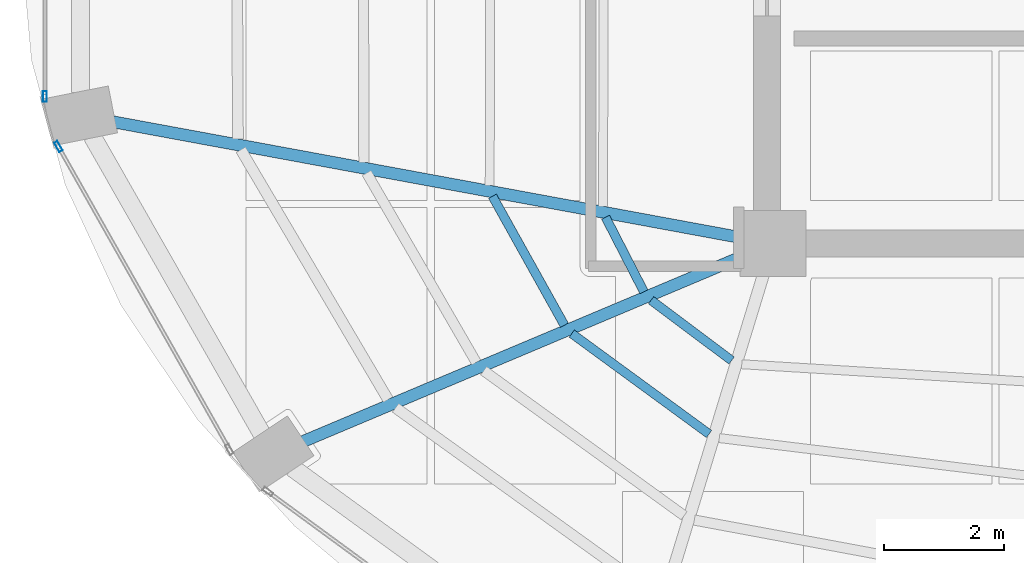
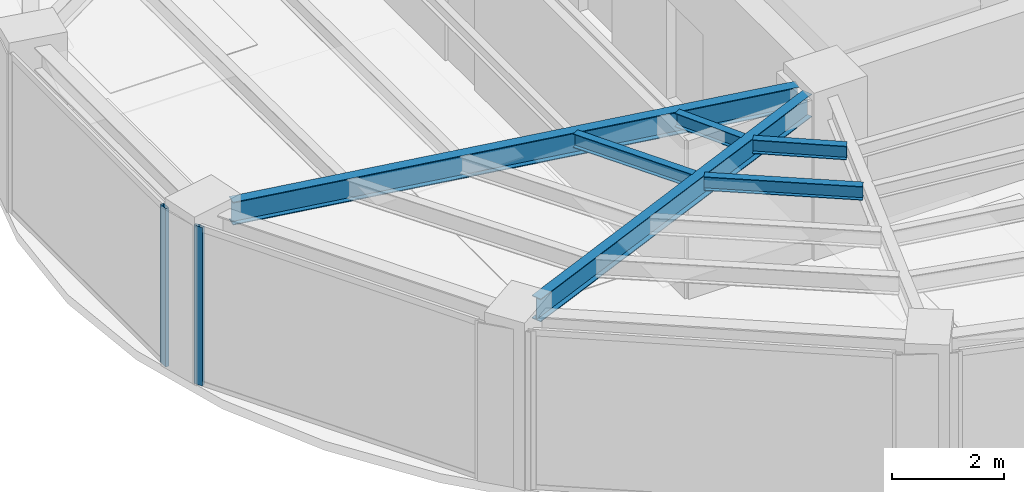
# One storey, part 4 of 22: 6 beams, 2 members, 2 elements without a shape of their own.
"""IFC4 building model written with IfcOpenShell, lengths in metres."""

from ifc_helpers import new_model, si_unit, direction, frame, origin, origin_2d, place, context, subcontext, project, spatial, hollow_rectangle, i_section, extrude, material, layer, layer_set, material_profile, profile_set, type_object, element, aggregate, save


model = new_model("IFC4")

# Units and contexts
model_context = context("Model", 3, precision=1e-05, world=origin(), true_north=direction((0.0, 1.0)))
body_context = subcontext(model_context, "Body", "Model", "MODEL_VIEW")
ifc_project = project(units=[si_unit("LENGTHUNIT", "METRE"), si_unit("AREAUNIT", "SQUARE_METRE"), si_unit("VOLUMEUNIT", "CUBIC_METRE"), si_unit("PLANEANGLEUNIT", "RADIAN"), si_unit("MASSUNIT", "GRAM", prefix="KILO")], contexts=[model_context])

# Site, building, storey
site_placement = place(None, origin())
site = spatial("IfcSite", under=ifc_project, at=site_placement, CompositionType="ELEMENT")
building_placement = place(site_placement, origin())
building = spatial("IfcBuilding", under=site, at=building_placement, Name="Lazwardi Medical Tower", CompositionType="ELEMENT")
storey_placement = place(building_placement, frame((0.0, 0.0, 251.3759765625)))
storey = spatial("IfcBuildingStorey", under=building, at=storey_placement, Name="L65", CompositionType="ELEMENT", Elevation=251.3759765625)

# Beams
ifc_material_1 = material(Name="Steel S355", Category="steel")
ifc_material_profile_1 = material_profile(ifc_material_1, i_section(OverallWidth=0.199951171875, OverallDepth=0.5, WebThickness=0.01025390625, FlangeThickness=0.01611328125, at=origin_2d()), Name="IPE 500")
ifc_profile_set_1 = profile_set([ifc_material_profile_1], Name="Steel S355")
beam_type_1 = type_object("IfcBeamType", Name="BM-RG-W3", PredefinedType="BEAM", material=ifc_profile_set_1)
beam_1_placement = place(storey_placement, frame((15.341064453125, 22.43994140625, 3.197998046875), z_axis=(0.983409341459, -0.181400295288, 0.0), x_axis=(0.181400295288, 0.983409341459, 0.0)))
element("IfcBeam", 1, at=beam_1_placement, inside=storey, type_object=beam_type_1, Name="Radial girder RG-04 R13 L65", PredefinedType="BEAM", context=body_context, shape_type="SweptSolid", body=[
    extrude(i_section(OverallWidth=0.199951171875, OverallDepth=0.5, WebThickness=0.01025390625, FlangeThickness=0.01611328125, at=origin_2d()), origin(), (0.0, 0.0, 1.0), 10.71044921875),
])
beam_2_placement = place(storey_placement, frame((18.533203125, 17.085205078125, 3.197998046875), z_axis=(0.921526791352, 0.388314785735, 0.0), x_axis=(-0.388314785735, 0.921526791352, 0.0)))
element("IfcBeam", 2, at=beam_2_placement, inside=storey, type_object=beam_type_1, Name="Radial girder RG-04 R14 L65", PredefinedType="BEAM", context=body_context, shape_type="SweptSolid", body=[
    extrude(i_section(OverallWidth=0.199951171875, OverallDepth=0.5, WebThickness=0.01025390625, FlangeThickness=0.01611328125, at=origin_2d()), origin(), (0.0, 0.0, 1.0), 8.001708984375),
])
ifc_material_profile_2 = material_profile(ifc_material_1, i_section(OverallWidth=0.14990234375, OverallDepth=0.300048828125, WebThickness=0.007080078125, FlangeThickness=0.0107421875, at=origin_2d()), Name="IPE 300")
ifc_profile_set_2 = profile_set([ifc_material_profile_2], Name="Steel S355")
beam_type_2 = type_object("IfcBeamType", Name="BM-SJ-03", PredefinedType="JOIST", material=ifc_profile_set_2)
beam_3_placement = place(storey_placement, frame((21.70703125, 21.19140625, 3.298095703125), z_axis=(0.487092942089, -0.873350139272, 0.0), x_axis=(0.873350139272, 0.487092942089, 0.0)))
element("IfcBeam", 3, at=beam_3_placement, inside=storey, type_object=beam_type_2, Name="Secondary joist SJ-03 R3 B13 L65", PredefinedType="JOIST", context=body_context, shape_type="SweptSolid", body=[
    extrude(i_section(OverallWidth=0.14990234375, OverallDepth=0.300048828125, WebThickness=0.007080078125, FlangeThickness=0.0107421875, at=origin_2d()), origin(), (0.0, 0.0, 1.0), 2.471923828125),
])
beam_4_placement = place(storey_placement, frame((23.0341796875, 18.893310546875, 3.298095703125), z_axis=(0.80703431267, -0.59050454543, 0.0), x_axis=(0.59050454543, 0.80703431267, 0.0)))
element("IfcBeam", 4, at=beam_4_placement, inside=storey, type_object=beam_type_2, Name="Secondary joist SJ-03 R3 B14 L65", PredefinedType="JOIST", context=body_context, shape_type="SweptSolid", body=[
    extrude(i_section(OverallWidth=0.14990234375, OverallDepth=0.300048828125, WebThickness=0.007080078125, FlangeThickness=0.0107421875, at=origin_2d()), origin(), (0.0, 0.0, 1.0), 2.846923828125),
])
beam_5_placement = place(storey_placement, frame((23.60009765625, 20.840087890625, 3.298095703125), z_axis=(0.457285056668, -0.889320176848, 0.0), x_axis=(0.889320176848, 0.457285056668, 0.0)))
element("IfcBeam", 5, at=beam_5_placement, inside=storey, type_object=beam_type_2, Name="Secondary joist SJ-03 R4 B13 L65", PredefinedType="JOIST", context=body_context, shape_type="SweptSolid", body=[
    extrude(i_section(OverallWidth=0.14990234375, OverallDepth=0.300048828125, WebThickness=0.007080078125, FlangeThickness=0.0107421875, at=origin_2d()), origin(), (0.0, 0.0, 1.0), 1.402099609375),
])
beam_6_placement = place(storey_placement, frame((24.36083984375, 19.451904296875, 3.298095703125), z_axis=(0.800365301971, -0.599512621553, 0.0), x_axis=(0.599512621553, 0.800365301971, 0.0)))
element("IfcBeam", 6, at=beam_6_placement, inside=storey, type_object=beam_type_2, Name="Secondary joist SJ-03 R4 B14 L65", PredefinedType="JOIST", context=body_context, shape_type="SweptSolid", body=[
    extrude(i_section(OverallWidth=0.14990234375, OverallDepth=0.300048828125, WebThickness=0.007080078125, FlangeThickness=0.0107421875, at=origin_2d()), origin(), (0.0, 0.0, 1.0), 1.68359375),
])

# Curtain wall, member
ifc_material_2 = material(Name="Anodised bronze aluminium and solar control glazing", Category="aluminium")
ifc_layer = layer(ifc_material_2, 0.18994140625)
ifc_layer_set = layer_set([ifc_layer], Name="Anodised bronze aluminium and solar control glazing")
curtain_wall_type = type_object("IfcCurtainWallType", Name="CW-SYS-04", PredefinedType="NOTDEFINED", material=ifc_layer_set)
curtain_wall_1_placement = place(storey_placement, origin())
curtain_wall_1 = element("IfcCurtainWall", 7, at=curtain_wall_1_placement, inside=storey, type_object=curtain_wall_type, Name="L65 Unitised bronze curtain wall CW-04", PredefinedType="NOTDEFINED")
ifc_material_3 = material(Name="Anodised bronze aluminium", Category="aluminium")
ifc_material_profile_3 = material_profile(ifc_material_3, hollow_rectangle(XDim=0.06494140625, YDim=0.179931640625, WallThickness=0.00390625, at=origin_2d()), Name="ALU-MULLION 180x65x4")
ifc_profile_set_3 = profile_set([ifc_material_profile_3], Name="Anodised bronze aluminium")
member_type = type_object("IfcMemberType", Name="CW-MUL-03", PredefinedType="MULLION", material=ifc_profile_set_3)
member_1_placement = place(storey_placement, frame((14.2158203125, 22.859619140625, 0.0), z_axis=(0.0, 0.0, 1.0), x_axis=(1.0, 0.0, 0.0)))
member_1 = element("IfcMember", 8, at=member_1_placement, type_object=member_type, Name="CW-04 mullion 2", PredefinedType="MULLION", context=body_context, shape_type="SweptSolid", body=[
    extrude(hollow_rectangle(XDim=0.06494140625, YDim=0.179931640625, WallThickness=0.00390625, at=origin_2d()), origin(), (0.0, 0.0, 1.0), 3.447998046875),
])
aggregate(curtain_wall_1, [member_1])

curtain_wall_2_placement = place(storey_placement, origin())
curtain_wall_2 = element("IfcCurtainWall", 9, at=curtain_wall_2_placement, inside=storey, type_object=curtain_wall_type, Name="L65 Unitised bronze curtain wall CW-04", PredefinedType="NOTDEFINED")
member_2_placement = place(storey_placement, frame((14.442626953125, 22.021728515625, 0.0), z_axis=(0.0, 0.0, 1.0), x_axis=(0.870651436011, 0.491900474661, 0.0)))
member_2 = element("IfcMember", 10, at=member_2_placement, type_object=member_type, Name="CW-04 mullion 1", PredefinedType="MULLION", context=body_context, shape_type="SweptSolid", body=[
    extrude(hollow_rectangle(XDim=0.06494140625, YDim=0.179931640625, WallThickness=0.00390625, at=origin_2d()), origin(), (0.0, 0.0, 1.0), 3.447998046875),
])
aggregate(curtain_wall_2, [member_2])

save(model, "model.ifc")
